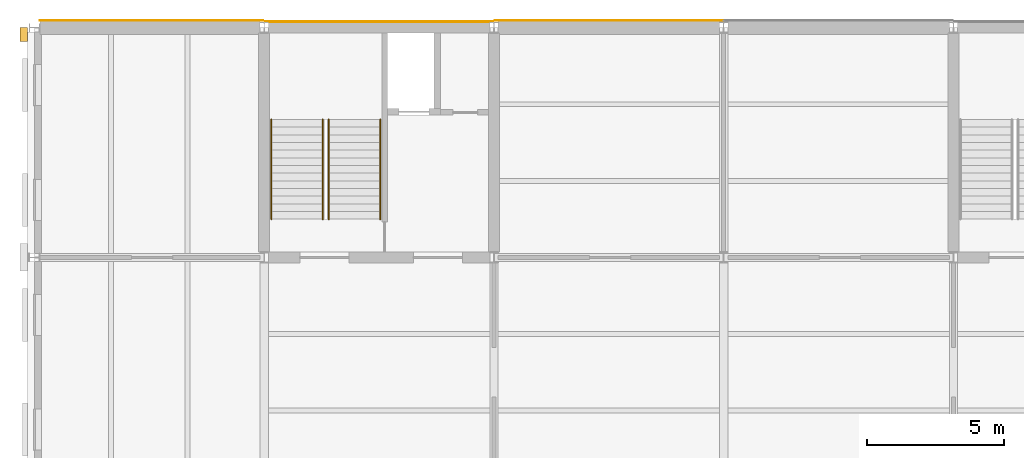
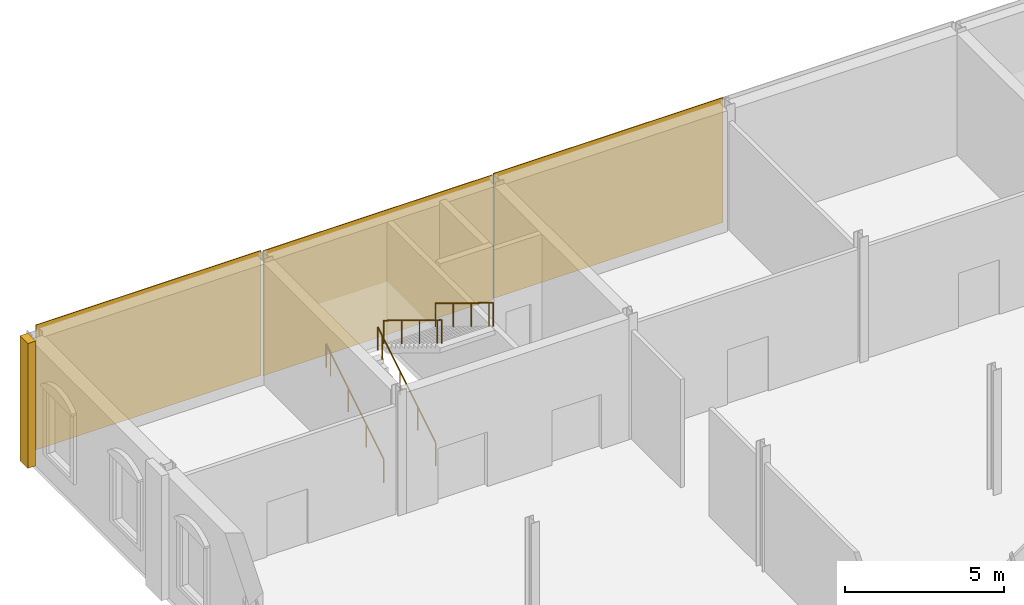
# One storey, part 40 of 57: 4 coverings, 4 railings.
"""IFC4 building model written with IfcOpenShell, lengths in metres."""

from ifc_helpers import new_model, si_unit, direction, frame, origin, origin_2d, place, context, subcontext, project, spatial, rectangle, circle, extrude, material, layer, layer_set, type_object, element, save


model = new_model("IFC4")

# Units and contexts
model_context = context("Model", 3, precision=1e-05, world=origin(), true_north=direction((0.0, 1.0)))
body_context = subcontext(model_context, "Body", "Model", "MODEL_VIEW")
ifc_project = project(units=[si_unit("LENGTHUNIT", "METRE"), si_unit("AREAUNIT", "SQUARE_METRE"), si_unit("VOLUMEUNIT", "CUBIC_METRE"), si_unit("PLANEANGLEUNIT", "RADIAN"), si_unit("MASSUNIT", "GRAM", prefix="KILO")], contexts=[model_context])

# Site, building, storey
site_placement = place(None, origin())
site = spatial("IfcSite", under=ifc_project, at=site_placement, CompositionType="ELEMENT")
building_placement = place(site_placement, origin())
building = spatial("IfcBuilding", under=site, at=building_placement, Name="Galleria Vessillo Department Store", CompositionType="ELEMENT")
storey_placement = place(building_placement, frame((0.0, 0.0, 21.0)))
storey = spatial("IfcBuildingStorey", under=building, at=storey_placement, Name="L04", CompositionType="ELEMENT", Elevation=21.0)

# Coverings
ifc_material_1 = material(Name="Lime plaster (intonaco) ochre")
ifc_layer_1 = layer(ifc_material_1, 0.030029296875)
ifc_layer_set_1 = layer_set([ifc_layer_1], Name="Lime plaster (intonaco) ochre")
covering_type_1 = type_object("IfcCoveringType", Name="Lime plaster render 30 mm", PredefinedType="CLADDING", material=ifc_layer_set_1)
covering_1_placement = place(storey_placement, frame((4.284912109375, 63.264892578125, 0.0), z_axis=(0.0, 0.0, 1.0), x_axis=(1.0, 0.0, 0.0)))
element("IfcCovering", 1, at=covering_1_placement, inside=storey, type_object=covering_type_1, Name="Wall cladding S-PN-L04-01", PredefinedType="CLADDING", context=body_context, shape_type="SweptSolid", body=[
    extrude(rectangle(XDim=8.170166015625, YDim=0.030029296875, at=origin_2d()), origin(), (0.0, 0.0, 1.0), 4.800048828125),
])
for number, where, z_axis, x_axis, name in (
    (2, (12.599853515625, 63.215087890625, 0.0), (0.0, 0.0, 1.0), (1.0, 0.0, 0.0), "Wall cladding S-CW-PC-NW-PARTY-L04"),
    (3, (21.0, 63.264892578125, 0.0), (0.0, 0.0, 1.0), (1.0, 0.0, 0.0), "Wall cladding S-PN-L04-02"),
):
    element("IfcCovering", number, at=place(storey_placement, frame(where, z_axis=z_axis, x_axis=x_axis)), inside=storey, type_object=covering_type_1, Name=name, PredefinedType="CLADDING", context=body_context, shape_type="SweptSolid", body=[
        extrude(rectangle(XDim=8.340087890625, YDim=0.030029296875, at=origin_2d()), origin(), (0.0, 0.0, 1.0), 4.800048828125),
    ])
ifc_material_2 = material(Name="Botticino limestone ashlar", Category="masonry")
ifc_layer_2 = layer(ifc_material_2, 0.280029296875)
ifc_layer_set_2 = layer_set([ifc_layer_2], Name="Botticino limestone ashlar")
covering_type_2 = type_object("IfcCoveringType", Name="Limestone giant pilaster 1000 x 280", PredefinedType="CLADDING", material=ifc_layer_set_2)
covering_2_placement = place(storey_placement, frame((-0.389892578125, 62.75, 0.0), z_axis=(0.0, 0.0, 1.0), x_axis=(1.0, 0.0, 0.0)))
element("IfcCovering", 4, at=covering_2_placement, inside=storey, type_object=covering_type_2, Name="Giant pilaster W L04 y=63.0", PredefinedType="CLADDING", context=body_context, shape_type="SweptSolid", body=[
    extrude(rectangle(XDim=0.280029296875, YDim=0.5, at=origin_2d()), origin(), (0.0, 0.0, 1.0), 4.800048828125),
])

# Railings
ifc_material_3 = material(Name="Stainless steel tube", Category="steel")
railing_type = type_object("IfcRailingType", Name="Stair handrail steel tube 48 mm", PredefinedType="HANDRAIL", material=ifc_material_3)
for number, where, name in (
    (5, (8.66015625, 56.0, 0.17138671875), "Handrail ST2 L04 flight 1A"),
    (6, (10.5400390625, 56.0, 0.17138671875), "Handrail ST2 L04 flight 1B"),
):
    element("IfcRailing", number, at=place(storey_placement, frame(where)), inside=storey, type_object=railing_type, Name=name, PredefinedType="HANDRAIL", context=body_context, shape_type="SweptSolid", body=[
        extrude(circle(Radius=0.02392578125, at=origin_2d()), frame((0.0, 0.0, 0.89599609375), z_axis=(0.0, 0.852849614702, 0.52215661894), x_axis=(-1.0, 0.0, 0.0)), (0.0, 0.0, 1.0), 1.3134765625),
        extrude(circle(Radius=0.02392578125, at=origin_2d()), frame((0.0, 1.1201171875, 1.58154296875), z_axis=(0.0, 0.852798921012, 0.522239409008), x_axis=(-1.0, 0.0, 0.0)), (0.0, 0.0, 1.0), 1.313232421875),
        extrude(circle(Radius=0.02392578125, at=origin_2d()), frame((0.0, 2.239990234375, 2.267578125), z_axis=(0.0, 0.852932391421, 0.522021393877), x_axis=(-1.0, 0.0, 0.0)), (0.0, 0.0, 1.0), 1.313232421875),
        extrude(circle(Radius=0.02392578125, at=origin_2d()), frame((0.0, 3.360107421875, 2.953125), z_axis=(0.0, 0.852729557261, 0.522352660731), x_axis=(-1.0, 0.0, 0.0)), (0.0, 0.0, 1.0), 0.328125),
        extrude(circle(Radius=0.02099609375, at=origin_2d()), origin(), (0.0, 0.0, 1.0), 0.871826171875),
        extrude(circle(Radius=0.02099609375, at=origin_2d()), frame((0.0, 1.1201171875, 0.685791015625)), (0.0, 0.0, 1.0), 0.871826171875),
        extrude(circle(Radius=0.02099609375, at=origin_2d()), frame((0.0, 2.239990234375, 1.37158203125)), (0.0, 0.0, 1.0), 0.871826171875),
        extrude(circle(Radius=0.02099609375, at=origin_2d()), frame((0.0, 3.360107421875, 2.05712890625)), (0.0, 0.0, 1.0), 0.871826171875),
        extrude(circle(Radius=0.02099609375, at=origin_2d()), frame((0.0, 3.639892578125, 2.228515625)), (0.0, 0.0, 1.0), 0.871826171875),
    ])
for number, where, name in (
    (7, (12.639892578125, 59.639892578125, 2.5712890625), "Handrail ST2 L04 flight 2A"),
    (8, (10.760009765625, 59.639892578125, 2.5712890625), "Handrail ST2 L04 flight 2B"),
):
    element("IfcRailing", number, at=place(storey_placement, frame(where)), inside=storey, type_object=railing_type, Name=name, PredefinedType="HANDRAIL", context=body_context, shape_type="SweptSolid", body=[
        extrude(circle(Radius=0.02392578125, at=origin_2d()), frame((0.0, 0.0, 0.89599609375), z_axis=(0.0, -0.852849614702, 0.52215661894), x_axis=(1.0, 0.0, 0.0)), (0.0, 0.0, 1.0), 1.3134765625),
        extrude(circle(Radius=0.02392578125, at=origin_2d()), frame((0.0, -1.1201171875, 1.58154296875), z_axis=(0.0, -0.852798921012, 0.522239409008), x_axis=(1.0, 0.0, 0.0)), (0.0, 0.0, 1.0), 1.313232421875),
        extrude(circle(Radius=0.02392578125, at=origin_2d()), frame((0.0, -2.239990234375, 2.267578125), z_axis=(0.0, -0.852932391421, 0.522021393877), x_axis=(1.0, 0.0, 0.0)), (0.0, 0.0, 1.0), 1.313232421875),
        extrude(circle(Radius=0.02392578125, at=origin_2d()), frame((0.0, -3.360107421875, 2.953125), z_axis=(0.0, -0.852729557261, 0.522352660731), x_axis=(1.0, 0.0, 0.0)), (0.0, 0.0, 1.0), 0.328125),
        extrude(circle(Radius=0.02099609375, at=origin_2d()), origin(), (0.0, 0.0, 1.0), 0.871826171875),
        extrude(circle(Radius=0.02099609375, at=origin_2d()), frame((0.0, -1.1201171875, 0.685791015625)), (0.0, 0.0, 1.0), 0.871826171875),
        extrude(circle(Radius=0.02099609375, at=origin_2d()), frame((0.0, -2.239990234375, 1.37158203125)), (0.0, 0.0, 1.0), 0.871826171875),
        extrude(circle(Radius=0.02099609375, at=origin_2d()), frame((0.0, -3.360107421875, 2.05712890625)), (0.0, 0.0, 1.0), 0.871826171875),
        extrude(circle(Radius=0.02099609375, at=origin_2d()), frame((0.0, -3.639892578125, 2.228515625)), (0.0, 0.0, 1.0), 0.871826171875),
    ])

save(model, "model.ifc")
